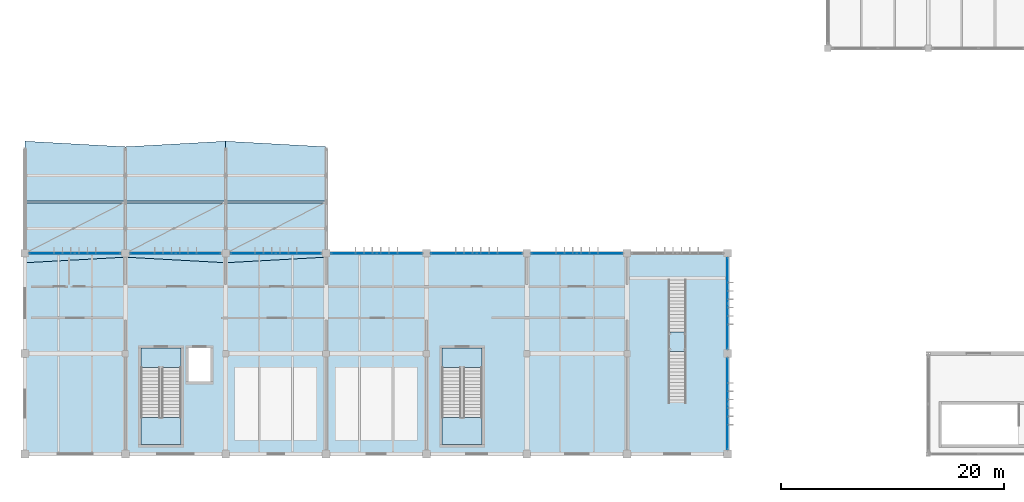
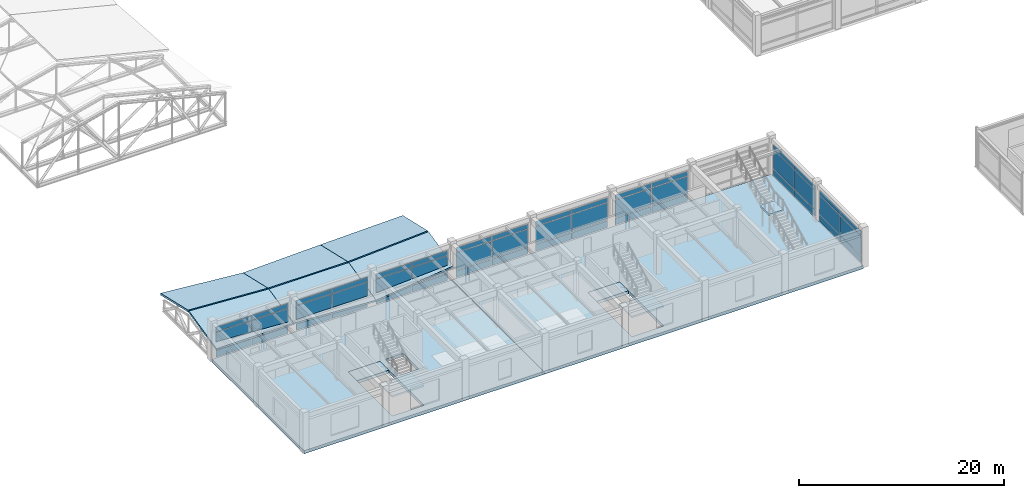
# One storey, part 34 of 61: 48 plates, 13 slabs, 11 elements without a shape of their own.
"""IFC4 building model written with IfcOpenShell, lengths in metres."""

from ifc_helpers import new_model, si_unit, direction, frame, origin, origin_2d, place, context, subcontext, project, spatial, polyline, rectangle, outline, extrude, material, layer, layer_set, type_object, element, aggregate, save


model = new_model("IFC4")

# Units and contexts
model_context = context("Model", 3, precision=1e-05, world=origin(), true_north=direction((0.0, 1.0)))
body_context = subcontext(model_context, "Body", "Model", "MODEL_VIEW")
ifc_project = project(units=[si_unit("LENGTHUNIT", "METRE"), si_unit("AREAUNIT", "SQUARE_METRE"), si_unit("VOLUMEUNIT", "CUBIC_METRE"), si_unit("PLANEANGLEUNIT", "RADIAN"), si_unit("MASSUNIT", "GRAM", prefix="KILO")], contexts=[model_context])

# Site, building, storey
site_placement = place(None, origin())
site = spatial("IfcSite", under=ifc_project, at=site_placement, CompositionType="ELEMENT")
building_placement = place(site_placement, origin())
building = spatial("IfcBuilding", under=site, at=building_placement, Name="Bozkorgan Art Gallery", CompositionType="ELEMENT")
storey_placement = place(building_placement, frame((0.0, 0.0, 10.199951171875)))
storey = spatial("IfcBuildingStorey", under=building, at=storey_placement, Name="L02", CompositionType="ELEMENT", Elevation=10.199951171875)

# Curtain wall, plates
ifc_material_1 = material(Name="Anodised Bronze Aluminium", Category="aluminium")
curtain_wall_type_1 = type_object("IfcCurtainWallType", Name="CW-CW-01", PredefinedType="NOTDEFINED", material=ifc_material_1)
curtain_wall_1_placement = place(storey_placement, origin())
curtain_wall_1 = element("IfcCurtainWall", 1, at=curtain_wall_1_placement, inside=storey, type_object=curtain_wall_type_1, Name="L02 unitised curtain wall CW-V1-L02-1N-02", PredefinedType="NOTDEFINED")
ifc_material_2 = material(Name="Triple Low-E Laminated Glass", Category="glass")
ifc_layer_1 = layer(ifc_material_2, 0.0439453125, Name="Triple Low-E Laminated Glass")
ifc_layer_set_1 = layer_set([ifc_layer_1], Name="Triple Low-E Laminated Glass")
plate_type = type_object("IfcPlateType", Name="CWP-GLZ", PredefinedType="CURTAIN_PANEL", material=ifc_layer_set_1)
plate_1_placement = place(storey_placement, frame((4.436279296875, 20.0, 0.094970703125), z_axis=(0.0, 0.0, 1.0), x_axis=(1.0, 0.0, 0.0)))
plate_1 = element("IfcPlate", 2, at=plate_1_placement, type_object=plate_type, Name="CW-01 panel 1.1", PredefinedType="CURTAIN_PANEL", context=body_context, shape_type="SweptSolid", body=[
    extrude(rectangle(XDim=4.012451171875, YDim=0.0439453125, at=origin_2d()), origin(), (0.0, 0.0, 1.0), 0.78759765625),
])
plate_2_placement = place(storey_placement, frame((4.436279296875, 20.0, 0.95751953125), z_axis=(0.0, 0.0, 1.0), x_axis=(1.0, 0.0, 0.0)))
plate_2 = element("IfcPlate", 3, at=plate_2_placement, type_object=plate_type, Name="CW-01 panel 1.2", PredefinedType="CURTAIN_PANEL", context=body_context, shape_type="SweptSolid", body=[
    extrude(rectangle(XDim=4.012451171875, YDim=0.0439453125, at=origin_2d()), origin(), (0.0, 0.0, 1.0), 2.070068359375),
])
plate_3_placement = place(storey_placement, frame((4.436279296875, 20.0, 3.1025390625), z_axis=(0.0, 0.0, 1.0), x_axis=(1.0, 0.0, 0.0)))
plate_3 = element("IfcPlate", 4, at=plate_3_placement, type_object=plate_type, Name="CW-01 panel 1.3", PredefinedType="CURTAIN_PANEL", context=body_context, shape_type="SweptSolid", body=[
    extrude(rectangle(XDim=4.012451171875, YDim=0.0439453125, at=origin_2d()), origin(), (0.0, 0.0, 1.0), 0.53759765625),
])
plate_4_placement = place(storey_placement, frame((8.513671875, 20.0, 0.094970703125), z_axis=(0.0, 0.0, 1.0), x_axis=(1.0, 0.0, 0.0)))
plate_4 = element("IfcPlate", 5, at=plate_4_placement, type_object=plate_type, Name="CW-01 panel 2.1", PredefinedType="CURTAIN_PANEL", context=body_context, shape_type="SweptSolid", body=[
    extrude(rectangle(XDim=4.012451171875, YDim=0.0439453125, at=origin_2d()), origin(), (0.0, 0.0, 1.0), 0.78759765625),
])
plate_5_placement = place(storey_placement, frame((8.513671875, 20.0, 0.95751953125), z_axis=(0.0, 0.0, 1.0), x_axis=(1.0, 0.0, 0.0)))
plate_5 = element("IfcPlate", 6, at=plate_5_placement, type_object=plate_type, Name="CW-01 panel 2.2", PredefinedType="CURTAIN_PANEL", context=body_context, shape_type="SweptSolid", body=[
    extrude(rectangle(XDim=4.012451171875, YDim=0.0439453125, at=origin_2d()), origin(), (0.0, 0.0, 1.0), 2.070068359375),
])
plate_6_placement = place(storey_placement, frame((8.513671875, 20.0, 3.1025390625), z_axis=(0.0, 0.0, 1.0), x_axis=(1.0, 0.0, 0.0)))
plate_6 = element("IfcPlate", 7, at=plate_6_placement, type_object=plate_type, Name="CW-01 panel 2.3", PredefinedType="CURTAIN_PANEL", context=body_context, shape_type="SweptSolid", body=[
    extrude(rectangle(XDim=4.012451171875, YDim=0.0439453125, at=origin_2d()), origin(), (0.0, 0.0, 1.0), 0.53759765625),
])
aggregate(curtain_wall_1, [plate_1, plate_2, plate_3, plate_4, plate_5, plate_6])

curtain_wall_type_2 = type_object("IfcCurtainWallType", Name="CW-CW-82", PredefinedType="NOTDEFINED", material=ifc_material_1)
curtain_wall_2_placement = place(storey_placement, origin())
curtain_wall_2 = element("IfcCurtainWall", 8, at=curtain_wall_2_placement, inside=storey, type_object=curtain_wall_type_2, Name="L02 unitised curtain wall CW-V1-L02-1N-04", PredefinedType="NOTDEFINED")
plate_7_placement = place(storey_placement, frame((13.4736328125, 20.0, 0.094970703125), z_axis=(0.0, 0.0, 1.0), x_axis=(1.0, 0.0, 0.0)))
plate_7 = element("IfcPlate", 9, at=plate_7_placement, type_object=plate_type, Name="CW-82 panel 1.1", PredefinedType="CURTAIN_PANEL", context=body_context, shape_type="SweptSolid", body=[
    extrude(rectangle(XDim=3.987548828125, YDim=0.0439453125, at=origin_2d()), origin(), (0.0, 0.0, 1.0), 0.78759765625),
])
plate_8_placement = place(storey_placement, frame((13.4736328125, 20.0, 0.95751953125), z_axis=(0.0, 0.0, 1.0), x_axis=(1.0, 0.0, 0.0)))
plate_8 = element("IfcPlate", 10, at=plate_8_placement, type_object=plate_type, Name="CW-82 panel 1.2", PredefinedType="CURTAIN_PANEL", context=body_context, shape_type="SweptSolid", body=[
    extrude(rectangle(XDim=3.987548828125, YDim=0.0439453125, at=origin_2d()), origin(), (0.0, 0.0, 1.0), 2.070068359375),
])
plate_9_placement = place(storey_placement, frame((13.4736328125, 20.0, 3.1025390625), z_axis=(0.0, 0.0, 1.0), x_axis=(1.0, 0.0, 0.0)))
plate_9 = element("IfcPlate", 11, at=plate_9_placement, type_object=plate_type, Name="CW-82 panel 1.3", PredefinedType="CURTAIN_PANEL", context=body_context, shape_type="SweptSolid", body=[
    extrude(rectangle(XDim=3.987548828125, YDim=0.0439453125, at=origin_2d()), origin(), (0.0, 0.0, 1.0), 0.53759765625),
])
plate_10_placement = place(storey_placement, frame((17.5263671875, 20.0, 0.094970703125), z_axis=(0.0, 0.0, 1.0), x_axis=(1.0, 0.0, 0.0)))
plate_10 = element("IfcPlate", 12, at=plate_10_placement, type_object=plate_type, Name="CW-82 panel 2.1", PredefinedType="CURTAIN_PANEL", context=body_context, shape_type="SweptSolid", body=[
    extrude(rectangle(XDim=3.987548828125, YDim=0.0439453125, at=origin_2d()), origin(), (0.0, 0.0, 1.0), 0.78759765625),
])
plate_11_placement = place(storey_placement, frame((17.5263671875, 20.0, 0.95751953125), z_axis=(0.0, 0.0, 1.0), x_axis=(1.0, 0.0, 0.0)))
plate_11 = element("IfcPlate", 13, at=plate_11_placement, type_object=plate_type, Name="CW-82 panel 2.2", PredefinedType="CURTAIN_PANEL", context=body_context, shape_type="SweptSolid", body=[
    extrude(rectangle(XDim=3.987548828125, YDim=0.0439453125, at=origin_2d()), origin(), (0.0, 0.0, 1.0), 2.070068359375),
])
plate_12_placement = place(storey_placement, frame((17.5263671875, 20.0, 3.1025390625), z_axis=(0.0, 0.0, 1.0), x_axis=(1.0, 0.0, 0.0)))
plate_12 = element("IfcPlate", 14, at=plate_12_placement, type_object=plate_type, Name="CW-82 panel 2.3", PredefinedType="CURTAIN_PANEL", context=body_context, shape_type="SweptSolid", body=[
    extrude(rectangle(XDim=3.987548828125, YDim=0.0439453125, at=origin_2d()), origin(), (0.0, 0.0, 1.0), 0.53759765625),
])
aggregate(curtain_wall_2, [plate_7, plate_8, plate_9, plate_10, plate_11, plate_12])

curtain_wall_3_placement = place(storey_placement, origin())
curtain_wall_3 = element("IfcCurtainWall", 15, at=curtain_wall_3_placement, inside=storey, type_object=curtain_wall_type_2, Name="L02 unitised curtain wall CW-V1-L02-1N-06", PredefinedType="NOTDEFINED")
plate_13_placement = place(storey_placement, frame((22.4736328125, 20.0, 0.094970703125), z_axis=(0.0, 0.0, 1.0), x_axis=(1.0, 0.0, 0.0)))
plate_13 = element("IfcPlate", 16, at=plate_13_placement, type_object=plate_type, Name="CW-82 panel 1.1", PredefinedType="CURTAIN_PANEL", context=body_context, shape_type="SweptSolid", body=[
    extrude(rectangle(XDim=3.987548828125, YDim=0.0439453125, at=origin_2d()), origin(), (0.0, 0.0, 1.0), 0.78759765625),
])
plate_14_placement = place(storey_placement, frame((22.4736328125, 20.0, 0.95751953125), z_axis=(0.0, 0.0, 1.0), x_axis=(1.0, 0.0, 0.0)))
plate_14 = element("IfcPlate", 17, at=plate_14_placement, type_object=plate_type, Name="CW-82 panel 1.2", PredefinedType="CURTAIN_PANEL", context=body_context, shape_type="SweptSolid", body=[
    extrude(rectangle(XDim=3.987548828125, YDim=0.0439453125, at=origin_2d()), origin(), (0.0, 0.0, 1.0), 2.070068359375),
])
plate_15_placement = place(storey_placement, frame((22.4736328125, 20.0, 3.1025390625), z_axis=(0.0, 0.0, 1.0), x_axis=(1.0, 0.0, 0.0)))
plate_15 = element("IfcPlate", 18, at=plate_15_placement, type_object=plate_type, Name="CW-82 panel 1.3", PredefinedType="CURTAIN_PANEL", context=body_context, shape_type="SweptSolid", body=[
    extrude(rectangle(XDim=3.987548828125, YDim=0.0439453125, at=origin_2d()), origin(), (0.0, 0.0, 1.0), 0.53759765625),
])
plate_16_placement = place(storey_placement, frame((26.5263671875, 20.0, 0.094970703125), z_axis=(0.0, 0.0, 1.0), x_axis=(1.0, 0.0, 0.0)))
plate_16 = element("IfcPlate", 19, at=plate_16_placement, type_object=plate_type, Name="CW-82 panel 2.1", PredefinedType="CURTAIN_PANEL", context=body_context, shape_type="SweptSolid", body=[
    extrude(rectangle(XDim=3.987548828125, YDim=0.0439453125, at=origin_2d()), origin(), (0.0, 0.0, 1.0), 0.78759765625),
])
plate_17_placement = place(storey_placement, frame((26.5263671875, 20.0, 0.95751953125), z_axis=(0.0, 0.0, 1.0), x_axis=(1.0, 0.0, 0.0)))
plate_17 = element("IfcPlate", 20, at=plate_17_placement, type_object=plate_type, Name="CW-82 panel 2.2", PredefinedType="CURTAIN_PANEL", context=body_context, shape_type="SweptSolid", body=[
    extrude(rectangle(XDim=3.987548828125, YDim=0.0439453125, at=origin_2d()), origin(), (0.0, 0.0, 1.0), 2.070068359375),
])
plate_18_placement = place(storey_placement, frame((26.5263671875, 20.0, 3.1025390625), z_axis=(0.0, 0.0, 1.0), x_axis=(1.0, 0.0, 0.0)))
plate_18 = element("IfcPlate", 21, at=plate_18_placement, type_object=plate_type, Name="CW-82 panel 2.3", PredefinedType="CURTAIN_PANEL", context=body_context, shape_type="SweptSolid", body=[
    extrude(rectangle(XDim=3.987548828125, YDim=0.0439453125, at=origin_2d()), origin(), (0.0, 0.0, 1.0), 0.53759765625),
])
aggregate(curtain_wall_3, [plate_13, plate_14, plate_15, plate_16, plate_17, plate_18])

curtain_wall_4_placement = place(storey_placement, origin())
curtain_wall_4 = element("IfcCurtainWall", 22, at=curtain_wall_4_placement, inside=storey, type_object=curtain_wall_type_1, Name="L02 unitised curtain wall CW-V1-L02-1N-08", PredefinedType="NOTDEFINED")
plate_19_placement = place(storey_placement, frame((31.486328125, 20.0, 0.094970703125), z_axis=(0.0, 0.0, 1.0), x_axis=(1.0, 0.0, 0.0)))
plate_19 = element("IfcPlate", 23, at=plate_19_placement, type_object=plate_type, Name="CW-01 panel 1.1", PredefinedType="CURTAIN_PANEL", context=body_context, shape_type="SweptSolid", body=[
    extrude(rectangle(XDim=4.012451171875, YDim=0.0439453125, at=origin_2d()), origin(), (0.0, 0.0, 1.0), 0.78759765625),
])
plate_20_placement = place(storey_placement, frame((31.486328125, 20.0, 0.95751953125), z_axis=(0.0, 0.0, 1.0), x_axis=(1.0, 0.0, 0.0)))
plate_20 = element("IfcPlate", 24, at=plate_20_placement, type_object=plate_type, Name="CW-01 panel 1.2", PredefinedType="CURTAIN_PANEL", context=body_context, shape_type="SweptSolid", body=[
    extrude(rectangle(XDim=4.012451171875, YDim=0.0439453125, at=origin_2d()), origin(), (0.0, 0.0, 1.0), 2.070068359375),
])
plate_21_placement = place(storey_placement, frame((31.486328125, 20.0, 3.1025390625), z_axis=(0.0, 0.0, 1.0), x_axis=(1.0, 0.0, 0.0)))
plate_21 = element("IfcPlate", 25, at=plate_21_placement, type_object=plate_type, Name="CW-01 panel 1.3", PredefinedType="CURTAIN_PANEL", context=body_context, shape_type="SweptSolid", body=[
    extrude(rectangle(XDim=4.012451171875, YDim=0.0439453125, at=origin_2d()), origin(), (0.0, 0.0, 1.0), 0.53759765625),
])
plate_22_placement = place(storey_placement, frame((35.563720703125, 20.0, 0.094970703125), z_axis=(0.0, 0.0, 1.0), x_axis=(1.0, 0.0, 0.0)))
plate_22 = element("IfcPlate", 26, at=plate_22_placement, type_object=plate_type, Name="CW-01 panel 2.1", PredefinedType="CURTAIN_PANEL", context=body_context, shape_type="SweptSolid", body=[
    extrude(rectangle(XDim=4.012451171875, YDim=0.0439453125, at=origin_2d()), origin(), (0.0, 0.0, 1.0), 0.78759765625),
])
plate_23_placement = place(storey_placement, frame((35.563720703125, 20.0, 0.95751953125), z_axis=(0.0, 0.0, 1.0), x_axis=(1.0, 0.0, 0.0)))
plate_23 = element("IfcPlate", 27, at=plate_23_placement, type_object=plate_type, Name="CW-01 panel 2.2", PredefinedType="CURTAIN_PANEL", context=body_context, shape_type="SweptSolid", body=[
    extrude(rectangle(XDim=4.012451171875, YDim=0.0439453125, at=origin_2d()), origin(), (0.0, 0.0, 1.0), 2.070068359375),
])
plate_24_placement = place(storey_placement, frame((35.563720703125, 20.0, 3.1025390625), z_axis=(0.0, 0.0, 1.0), x_axis=(1.0, 0.0, 0.0)))
plate_24 = element("IfcPlate", 28, at=plate_24_placement, type_object=plate_type, Name="CW-01 panel 2.3", PredefinedType="CURTAIN_PANEL", context=body_context, shape_type="SweptSolid", body=[
    extrude(rectangle(XDim=4.012451171875, YDim=0.0439453125, at=origin_2d()), origin(), (0.0, 0.0, 1.0), 0.53759765625),
])
aggregate(curtain_wall_4, [plate_19, plate_20, plate_21, plate_22, plate_23, plate_24])

curtain_wall_type_3 = type_object("IfcCurtainWallType", Name="CW-CW-61", PredefinedType="NOTDEFINED", material=ifc_material_1)
curtain_wall_5_placement = place(storey_placement, origin())
curtain_wall_5 = element("IfcCurtainWall", 29, at=curtain_wall_5_placement, inside=storey, type_object=curtain_wall_type_3, Name="L02 unitised curtain wall CW-V1-L02-1N-10", PredefinedType="NOTDEFINED")
plate_25_placement = place(storey_placement, frame((40.44873046875, 20.0, 0.094970703125), z_axis=(0.0, 0.0, 1.0), x_axis=(1.0, 0.0, 0.0)))
plate_25 = element("IfcPlate", 30, at=plate_25_placement, type_object=plate_type, Name="CW-61 panel 1.1", PredefinedType="CURTAIN_PANEL", context=body_context, shape_type="SweptSolid", body=[
    extrude(rectangle(XDim=4.03759765625, YDim=0.0439453125, at=origin_2d()), origin(), (0.0, 0.0, 1.0), 0.78759765625),
])
plate_26_placement = place(storey_placement, frame((40.44873046875, 20.0, 0.95751953125), z_axis=(0.0, 0.0, 1.0), x_axis=(1.0, 0.0, 0.0)))
plate_26 = element("IfcPlate", 31, at=plate_26_placement, type_object=plate_type, Name="CW-61 panel 1.2", PredefinedType="CURTAIN_PANEL", context=body_context, shape_type="SweptSolid", body=[
    extrude(rectangle(XDim=4.03759765625, YDim=0.0439453125, at=origin_2d()), origin(), (0.0, 0.0, 1.0), 2.070068359375),
])
plate_27_placement = place(storey_placement, frame((40.44873046875, 20.0, 3.1025390625), z_axis=(0.0, 0.0, 1.0), x_axis=(1.0, 0.0, 0.0)))
plate_27 = element("IfcPlate", 32, at=plate_27_placement, type_object=plate_type, Name="CW-61 panel 1.3", PredefinedType="CURTAIN_PANEL", context=body_context, shape_type="SweptSolid", body=[
    extrude(rectangle(XDim=4.03759765625, YDim=0.0439453125, at=origin_2d()), origin(), (0.0, 0.0, 1.0), 0.53759765625),
])
plate_28_placement = place(storey_placement, frame((44.55126953125, 20.0, 0.094970703125), z_axis=(0.0, 0.0, 1.0), x_axis=(1.0, 0.0, 0.0)))
plate_28 = element("IfcPlate", 33, at=plate_28_placement, type_object=plate_type, Name="CW-61 panel 2.1", PredefinedType="CURTAIN_PANEL", context=body_context, shape_type="SweptSolid", body=[
    extrude(rectangle(XDim=4.03759765625, YDim=0.0439453125, at=origin_2d()), origin(), (0.0, 0.0, 1.0), 0.78759765625),
])
plate_29_placement = place(storey_placement, frame((44.55126953125, 20.0, 0.95751953125), z_axis=(0.0, 0.0, 1.0), x_axis=(1.0, 0.0, 0.0)))
plate_29 = element("IfcPlate", 34, at=plate_29_placement, type_object=plate_type, Name="CW-61 panel 2.2", PredefinedType="CURTAIN_PANEL", context=body_context, shape_type="SweptSolid", body=[
    extrude(rectangle(XDim=4.03759765625, YDim=0.0439453125, at=origin_2d()), origin(), (0.0, 0.0, 1.0), 2.070068359375),
])
plate_30_placement = place(storey_placement, frame((44.55126953125, 20.0, 3.1025390625), z_axis=(0.0, 0.0, 1.0), x_axis=(1.0, 0.0, 0.0)))
plate_30 = element("IfcPlate", 35, at=plate_30_placement, type_object=plate_type, Name="CW-61 panel 2.3", PredefinedType="CURTAIN_PANEL", context=body_context, shape_type="SweptSolid", body=[
    extrude(rectangle(XDim=4.03759765625, YDim=0.0439453125, at=origin_2d()), origin(), (0.0, 0.0, 1.0), 0.53759765625),
])
aggregate(curtain_wall_5, [plate_25, plate_26, plate_27, plate_28, plate_29, plate_30])

curtain_wall_6_placement = place(storey_placement, origin())
curtain_wall_6 = element("IfcCurtainWall", 36, at=curtain_wall_6_placement, inside=storey, type_object=curtain_wall_type_3, Name="L02 unitised curtain wall CW-V1-L02-1N-12", PredefinedType="NOTDEFINED")
plate_31_placement = place(storey_placement, frame((49.44873046875, 20.0, 0.094970703125), z_axis=(0.0, 0.0, 1.0), x_axis=(1.0, 0.0, 0.0)))
plate_31 = element("IfcPlate", 37, at=plate_31_placement, type_object=plate_type, Name="CW-61 panel 1.1", PredefinedType="CURTAIN_PANEL", context=body_context, shape_type="SweptSolid", body=[
    extrude(rectangle(XDim=4.03759765625, YDim=0.0439453125, at=origin_2d()), origin(), (0.0, 0.0, 1.0), 0.78759765625),
])
plate_32_placement = place(storey_placement, frame((49.44873046875, 20.0, 0.95751953125), z_axis=(0.0, 0.0, 1.0), x_axis=(1.0, 0.0, 0.0)))
plate_32 = element("IfcPlate", 38, at=plate_32_placement, type_object=plate_type, Name="CW-61 panel 1.2", PredefinedType="CURTAIN_PANEL", context=body_context, shape_type="SweptSolid", body=[
    extrude(rectangle(XDim=4.03759765625, YDim=0.0439453125, at=origin_2d()), origin(), (0.0, 0.0, 1.0), 2.070068359375),
])
plate_33_placement = place(storey_placement, frame((49.44873046875, 20.0, 3.1025390625), z_axis=(0.0, 0.0, 1.0), x_axis=(1.0, 0.0, 0.0)))
plate_33 = element("IfcPlate", 39, at=plate_33_placement, type_object=plate_type, Name="CW-61 panel 1.3", PredefinedType="CURTAIN_PANEL", context=body_context, shape_type="SweptSolid", body=[
    extrude(rectangle(XDim=4.03759765625, YDim=0.0439453125, at=origin_2d()), origin(), (0.0, 0.0, 1.0), 0.53759765625),
])
plate_34_placement = place(storey_placement, frame((53.55126953125, 20.0, 0.094970703125), z_axis=(0.0, 0.0, 1.0), x_axis=(1.0, 0.0, 0.0)))
plate_34 = element("IfcPlate", 40, at=plate_34_placement, type_object=plate_type, Name="CW-61 panel 2.1", PredefinedType="CURTAIN_PANEL", context=body_context, shape_type="SweptSolid", body=[
    extrude(rectangle(XDim=4.03759765625, YDim=0.0439453125, at=origin_2d()), origin(), (0.0, 0.0, 1.0), 0.78759765625),
])
plate_35_placement = place(storey_placement, frame((53.55126953125, 20.0, 0.95751953125), z_axis=(0.0, 0.0, 1.0), x_axis=(1.0, 0.0, 0.0)))
plate_35 = element("IfcPlate", 41, at=plate_35_placement, type_object=plate_type, Name="CW-61 panel 2.2", PredefinedType="CURTAIN_PANEL", context=body_context, shape_type="SweptSolid", body=[
    extrude(rectangle(XDim=4.03759765625, YDim=0.0439453125, at=origin_2d()), origin(), (0.0, 0.0, 1.0), 2.070068359375),
])
plate_36_placement = place(storey_placement, frame((53.55126953125, 20.0, 3.1025390625), z_axis=(0.0, 0.0, 1.0), x_axis=(1.0, 0.0, 0.0)))
plate_36 = element("IfcPlate", 42, at=plate_36_placement, type_object=plate_type, Name="CW-61 panel 2.3", PredefinedType="CURTAIN_PANEL", context=body_context, shape_type="SweptSolid", body=[
    extrude(rectangle(XDim=4.03759765625, YDim=0.0439453125, at=origin_2d()), origin(), (0.0, 0.0, 1.0), 0.53759765625),
])
aggregate(curtain_wall_6, [plate_31, plate_32, plate_33, plate_34, plate_35, plate_36])

curtain_wall_type_4 = type_object("IfcCurtainWallType", Name="CW-CW-11", PredefinedType="NOTDEFINED", material=ifc_material_1)
curtain_wall_7_placement = place(storey_placement, origin())
curtain_wall_7 = element("IfcCurtainWall", 43, at=curtain_wall_7_placement, inside=storey, type_object=curtain_wall_type_4, Name="L02 unitised curtain wall CW-V1-L02-1E-16", PredefinedType="NOTDEFINED")
plate_37_placement = place(storey_placement, frame((65.0, 4.451171875, 0.094970703125), z_axis=(0.0, 0.0, 1.0), x_axis=(0.0, 1.0, 0.0)))
plate_37 = element("IfcPlate", 44, at=plate_37_placement, type_object=plate_type, Name="CW-11 panel 1.1", PredefinedType="CURTAIN_PANEL", context=body_context, shape_type="SweptSolid", body=[
    extrude(rectangle(XDim=4.0224609375, YDim=0.0439453125, at=origin_2d()), origin(), (0.0, 0.0, 1.0), 0.78759765625),
])
plate_38_placement = place(storey_placement, frame((65.0, 4.451171875, 0.95751953125), z_axis=(0.0, 0.0, 1.0), x_axis=(0.0, 1.0, 0.0)))
plate_38 = element("IfcPlate", 45, at=plate_38_placement, type_object=plate_type, Name="CW-11 panel 1.2", PredefinedType="CURTAIN_PANEL", context=body_context, shape_type="SweptSolid", body=[
    extrude(rectangle(XDim=4.0224609375, YDim=0.0439453125, at=origin_2d()), origin(), (0.0, 0.0, 1.0), 2.27001953125),
])
plate_39_placement = place(storey_placement, frame((65.0, 4.451171875, 3.302490234375), z_axis=(0.0, 0.0, 1.0), x_axis=(0.0, 1.0, 0.0)))
plate_39 = element("IfcPlate", 46, at=plate_39_placement, type_object=plate_type, Name="CW-11 panel 1.3", PredefinedType="CURTAIN_PANEL", context=body_context, shape_type="SweptSolid", body=[
    extrude(rectangle(XDim=4.0224609375, YDim=0.0439453125, at=origin_2d()), origin(), (0.0, 0.0, 1.0), 0.53759765625),
])
plate_40_placement = place(storey_placement, frame((65.0, 8.548828125, 0.094970703125), z_axis=(0.0, 0.0, 1.0), x_axis=(0.0, 1.0, 0.0)))
plate_40 = element("IfcPlate", 47, at=plate_40_placement, type_object=plate_type, Name="CW-11 panel 2.1", PredefinedType="CURTAIN_PANEL", context=body_context, shape_type="SweptSolid", body=[
    extrude(rectangle(XDim=4.0224609375, YDim=0.0439453125, at=origin_2d()), origin(), (0.0, 0.0, 1.0), 0.78759765625),
])
plate_41_placement = place(storey_placement, frame((65.0, 8.548828125, 0.95751953125), z_axis=(0.0, 0.0, 1.0), x_axis=(0.0, 1.0, 0.0)))
plate_41 = element("IfcPlate", 48, at=plate_41_placement, type_object=plate_type, Name="CW-11 panel 2.2", PredefinedType="CURTAIN_PANEL", context=body_context, shape_type="SweptSolid", body=[
    extrude(rectangle(XDim=4.0224609375, YDim=0.0439453125, at=origin_2d()), origin(), (0.0, 0.0, 1.0), 2.27001953125),
])
plate_42_placement = place(storey_placement, frame((65.0, 8.548828125, 3.302490234375), z_axis=(0.0, 0.0, 1.0), x_axis=(0.0, 1.0, 0.0)))
plate_42 = element("IfcPlate", 49, at=plate_42_placement, type_object=plate_type, Name="CW-11 panel 2.3", PredefinedType="CURTAIN_PANEL", context=body_context, shape_type="SweptSolid", body=[
    extrude(rectangle(XDim=4.0224609375, YDim=0.0439453125, at=origin_2d()), origin(), (0.0, 0.0, 1.0), 0.53759765625),
])
aggregate(curtain_wall_7, [plate_37, plate_38, plate_39, plate_40, plate_41, plate_42])

curtain_wall_8_placement = place(storey_placement, origin())
curtain_wall_8 = element("IfcCurtainWall", 50, at=curtain_wall_8_placement, inside=storey, type_object=curtain_wall_type_4, Name="L02 unitised curtain wall CW-V1-L02-1E-18", PredefinedType="NOTDEFINED")
plate_43_placement = place(storey_placement, frame((65.0, 13.451171875, 0.094970703125), z_axis=(0.0, 0.0, 1.0), x_axis=(0.0, 1.0, 0.0)))
plate_43 = element("IfcPlate", 51, at=plate_43_placement, type_object=plate_type, Name="CW-11 panel 1.1", PredefinedType="CURTAIN_PANEL", context=body_context, shape_type="SweptSolid", body=[
    extrude(rectangle(XDim=4.0224609375, YDim=0.0439453125, at=origin_2d()), origin(), (0.0, 0.0, 1.0), 0.78759765625),
])
plate_44_placement = place(storey_placement, frame((65.0, 13.451171875, 0.95751953125), z_axis=(0.0, 0.0, 1.0), x_axis=(0.0, 1.0, 0.0)))
plate_44 = element("IfcPlate", 52, at=plate_44_placement, type_object=plate_type, Name="CW-11 panel 1.2", PredefinedType="CURTAIN_PANEL", context=body_context, shape_type="SweptSolid", body=[
    extrude(rectangle(XDim=4.0224609375, YDim=0.0439453125, at=origin_2d()), origin(), (0.0, 0.0, 1.0), 2.27001953125),
])
plate_45_placement = place(storey_placement, frame((65.0, 13.451171875, 3.302490234375), z_axis=(0.0, 0.0, 1.0), x_axis=(0.0, 1.0, 0.0)))
plate_45 = element("IfcPlate", 53, at=plate_45_placement, type_object=plate_type, Name="CW-11 panel 1.3", PredefinedType="CURTAIN_PANEL", context=body_context, shape_type="SweptSolid", body=[
    extrude(rectangle(XDim=4.0224609375, YDim=0.0439453125, at=origin_2d()), origin(), (0.0, 0.0, 1.0), 0.53759765625),
])
plate_46_placement = place(storey_placement, frame((65.0, 17.548828125, 0.094970703125), z_axis=(0.0, 0.0, 1.0), x_axis=(0.0, 1.0, 0.0)))
plate_46 = element("IfcPlate", 54, at=plate_46_placement, type_object=plate_type, Name="CW-11 panel 2.1", PredefinedType="CURTAIN_PANEL", context=body_context, shape_type="SweptSolid", body=[
    extrude(rectangle(XDim=4.0224609375, YDim=0.0439453125, at=origin_2d()), origin(), (0.0, 0.0, 1.0), 0.78759765625),
])
plate_47_placement = place(storey_placement, frame((65.0, 17.548828125, 0.95751953125), z_axis=(0.0, 0.0, 1.0), x_axis=(0.0, 1.0, 0.0)))
plate_47 = element("IfcPlate", 55, at=plate_47_placement, type_object=plate_type, Name="CW-11 panel 2.2", PredefinedType="CURTAIN_PANEL", context=body_context, shape_type="SweptSolid", body=[
    extrude(rectangle(XDim=4.0224609375, YDim=0.0439453125, at=origin_2d()), origin(), (0.0, 0.0, 1.0), 2.27001953125),
])
plate_48_placement = place(storey_placement, frame((65.0, 17.548828125, 3.302490234375), z_axis=(0.0, 0.0, 1.0), x_axis=(0.0, 1.0, 0.0)))
plate_48 = element("IfcPlate", 56, at=plate_48_placement, type_object=plate_type, Name="CW-11 panel 2.3", PredefinedType="CURTAIN_PANEL", context=body_context, shape_type="SweptSolid", body=[
    extrude(rectangle(XDim=4.0224609375, YDim=0.0439453125, at=origin_2d()), origin(), (0.0, 0.0, 1.0), 0.53759765625),
])
aggregate(curtain_wall_8, [plate_43, plate_44, plate_45, plate_46, plate_47, plate_48])

# Stair, slab
ifc_material_3 = material(Name="Concrete C35/45", Category="concrete")
stair_type_1 = type_object("IfcStairType", Name="STAIR-CORE1", PredefinedType="HALF_TURN_STAIR", material=ifc_material_3)
stair_1_placement = place(storey_placement, origin())
stair_1 = element("IfcStair", 57, at=stair_1_placement, inside=storey, type_object=stair_type_1, Name="L02 ST1 Core Stair", PredefinedType="HALF_TURN_STAIR")
ifc_layer_2 = layer(ifc_material_3, 0.25, Name="Concrete C35/45")
ifc_layer_set_2 = layer_set([ifc_layer_2], Name="Concrete C35/45")
slab_type_1 = type_object("IfcSlabType", Name="LAND-CORE1", PredefinedType="LANDING", material=ifc_layer_set_2)
slab_1_placement = place(storey_placement, frame((0.0, 0.0, 2.199951171875)))
slab_1 = element("IfcSlab", 58, at=slab_1_placement, type_object=slab_type_1, Name="ST1 landing 1", PredefinedType="LANDING", context=body_context, shape_type="SweptSolid", body=[
    extrude(outline(polyline([(12.39990234375, 5.25), (12.39990234375, 2.85009765625), (16.0, 2.85009765625), (16.0, 5.25), (12.39990234375, 5.25)])), origin(), (0.0, 0.0, 1.0), 0.2001953125),
])
aggregate(stair_1, [slab_1])

# Slab
slab_2_placement = place(storey_placement, frame((0.0, 0.0, -0.35986328125)))
element("IfcSlab", 59, at=slab_2_placement, inside=storey, type_object=slab_type_1, Name="ST1 L02 floor landing", PredefinedType="LANDING", context=body_context, shape_type="SweptSolid", body=[
    extrude(outline(polyline([(12.39990234375, 9.75), (16.0, 9.75), (16.0, 11.5), (12.39990234375, 11.5), (12.39990234375, 9.75)])), origin(), (0.0, 0.0, 1.0), 0.35986328125),
])

# Stair, slab
stair_type_2 = type_object("IfcStairType", Name="STAIR-CORE7", PredefinedType="HALF_TURN_STAIR", material=ifc_material_3)
stair_2_placement = place(storey_placement, origin())
stair_2 = element("IfcStair", 60, at=stair_2_placement, inside=storey, type_object=stair_type_2, Name="L02 ST12 Core Stair", PredefinedType="HALF_TURN_STAIR")
ifc_layer_3 = layer(ifc_material_3, 0.25, Name="Concrete C35/45")
ifc_layer_set_3 = layer_set([ifc_layer_3], Name="Concrete C35/45")
slab_type_2 = type_object("IfcSlabType", Name="LAND-CORE7", PredefinedType="LANDING", material=ifc_layer_set_3)
slab_3_placement = place(storey_placement, frame((0.0, 0.0, 2.199951171875)))
slab_3 = element("IfcSlab", 61, at=slab_3_placement, type_object=slab_type_2, Name="ST12 landing 1", PredefinedType="LANDING", context=body_context, shape_type="SweptSolid", body=[
    extrude(outline(polyline([(39.39990234375, 5.25), (39.39990234375, 2.85009765625), (43.0, 2.85009765625), (43.0, 5.25), (39.39990234375, 5.25)])), origin(), (0.0, 0.0, 1.0), 0.2001953125),
])
aggregate(stair_2, [slab_3])

# Slab
slab_4_placement = place(storey_placement, frame((0.0, 0.0, -0.35986328125)))
element("IfcSlab", 62, at=slab_4_placement, inside=storey, type_object=slab_type_2, Name="ST12 L02 floor landing", PredefinedType="LANDING", context=body_context, shape_type="SweptSolid", body=[
    extrude(outline(polyline([(39.39990234375, 9.75), (43.0, 9.75), (43.0, 11.5), (39.39990234375, 11.5), (39.39990234375, 9.75)])), origin(), (0.0, 0.0, 1.0), 0.35986328125),
])

# Stair, slab
ifc_material_4 = material(Name="Steel S355J2", Category="steel")
stair_type_3 = type_object("IfcStairType", Name="FSTAIR-ST8", PredefinedType="STRAIGHT_RUN_STAIR", material=ifc_material_4)
stair_3_placement = place(storey_placement, origin())
stair_3 = element("IfcStair", 63, at=stair_3_placement, inside=storey, type_object=stair_type_3, Name="ST8 Feature Stair (L02 to L03)", PredefinedType="STRAIGHT_RUN_STAIR")
ifc_layer_4 = layer(ifc_material_3, 0.239990234375, Name="Concrete C35/45")
ifc_layer_set_4 = layer_set([ifc_layer_4], Name="Concrete C35/45")
slab_type_3 = type_object("IfcSlabType", Name="LAND-FEAT", PredefinedType="LANDING", material=ifc_layer_set_4)
slab_5_placement = place(storey_placement, frame((0.0, 0.0, 2.16015625)))
slab_5 = element("IfcSlab", 64, at=slab_5_placement, type_object=slab_type_3, Name="ST8 intermediate landing", PredefinedType="LANDING", context=body_context, shape_type="SweptSolid", body=[
    extrude(outline(polyline([(59.699951171875, 11.199951171875), (61.300048828125, 11.199951171875), (61.300048828125, 12.949951171875), (59.699951171875, 12.949951171875), (59.699951171875, 11.199951171875)])), origin(), (0.0, 0.0, 1.0), 0.239990234375),
])
aggregate(stair_3, [slab_5])

# Slabs
ifc_layer_5 = layer(ifc_material_3, 0.219970703125, Name="Concrete C35/45")
ifc_layer_set_5 = layer_set([ifc_layer_5], Name="Concrete C35/45")
slab_type_4 = type_object("IfcSlabType", Name="SLAB-RF-44", PredefinedType="ROOF", material=ifc_layer_set_5)
slab_6_placement = place(storey_placement, frame((2.0, 19.14990234375, 1.761962890625), z_axis=(0.056996599576, -0.22457357857, 0.972788823664), x_axis=(0.997419538372, 0.055412820237, -0.045647385762)))
element("IfcSlab", 65, at=slab_6_placement, inside=storey, type_object=slab_type_4, Name="ROOF-V1-STEP2 swept-eave pitched roof slab 1S", PredefinedType="ROOF", context=body_context, shape_type="SweptSolid", body=[
    extrude(outline(polyline([(0.0, 0.0), (9.023282826703163, 5.551115123125783e-17), (9.241829879108527, 4.993421291307224), (0.24098217017387435, 5.506092677888649), (0.0, 0.0)])), origin(), (0.0, 0.0, -1.0), 0.219970703125),
])
slab_7_placement = place(storey_placement, frame((2.0, 24.679931640625, 3.001708984375), z_axis=(0.056996599576, 0.22457357857, 0.972788823664), x_axis=(0.99828794999, 6.15525e-07, -0.058490759139)))
element("IfcSlab", 66, at=slab_7_placement, inside=storey, type_object=slab_type_4, Name="ROOF-V1-STEP2 swept-eave pitched roof slab 1N", PredefinedType="ROOF", context=body_context, shape_type="SweptSolid", body=[
    extrude(outline(polyline([(0.0, 0.0), (9.01543628617348, 0.0), (9.081198547970141, 4.997768935386946), (0.07251699560209282, 5.510886522982447), (0.0, 0.0)])), origin(), (0.0, 0.0, -1.0), 0.219970703125),
])
slab_8_placement = place(storey_placement, frame((11.0, 19.64990234375, 1.35009765625), z_axis=(2.750031e-06, -0.224939245996, 0.974372790878), x_axis=(0.998378426342, -0.055466085716, -0.012807464646)))
element("IfcSlab", 67, at=slab_8_placement, inside=storey, type_object=slab_type_4, Name="ROOF-V1-STEP2 swept-eave pitched roof slab 2S", PredefinedType="ROOF", context=body_context, shape_type="SweptSolid", body=[
    extrude(outline(polyline([(0.0, 0.0), (9.01461786694025, 2.0816681711721685e-17), (8.70088048244527, 5.502426540846226), (-0.28452535463051654, 4.9900966252334), (0.0, 0.0)])), origin(), (0.0, 0.0, -1.0), 0.219970703125),
])
slab_9_placement = place(storey_placement, frame((11.0, 24.679931640625, 2.474365234375), z_axis=(2.750031e-06, 0.224939245996, 0.974372790878), x_axis=(0.999999999996, -6.1859e-07, -2.679555e-06)))
element("IfcSlab", 68, at=slab_9_placement, inside=storey, type_object=slab_type_4, Name="ROOF-V1-STEP2 swept-eave pitched roof slab 2N", PredefinedType="ROOF", context=body_context, shape_type="SweptSolid", body=[
    extrude(outline(polyline([(0.0, 0.0), (8.999999999965969, 9.529120656610879e-22), (9.000000000034033, 5.511363622901207), (-6.80640339478016e-11, 4.998201577226892), (0.0, 0.0)])), origin(), (0.0, 0.0, -1.0), 0.219970703125),
])
slab_10_placement = place(storey_placement, frame((20.0, 19.14990234375, 1.234619140625), z_axis=(-0.057002072856, -0.224573508281, 0.97278851919), x_axis=(0.995931172742, 0.055330115009, 0.071131410316)))
element("IfcSlab", 69, at=slab_10_placement, inside=storey, type_object=slab_type_4, Name="ROOF-V1-STEP2 swept-eave pitched roof slab 3S", PredefinedType="ROOF", context=body_context, shape_type="SweptSolid", body=[
    extrude(outline(polyline([(0.0, 0.0), (9.036770466520254, 8.326672684688674e-17), (9.386205349014904, 4.985971747763051), (0.38531408967658864, 5.497877957552115), (0.0, 0.0)])), origin(), (0.0, 0.0, -1.0), 0.219970703125),
])
slab_11_placement = place(storey_placement, frame((20.0, 24.679931640625, 2.474365234375), z_axis=(-0.057002072856, 0.224573508281, 0.97278851919), x_axis=(0.998287637536, 6.15524e-07, 0.058496091692)))
element("IfcSlab", 70, at=slab_11_placement, inside=storey, type_object=slab_type_4, Name="ROOF-V1-STEP2 swept-eave pitched roof slab 3N", PredefinedType="ROOF", context=body_context, shape_type="SweptSolid", body=[
    extrude(outline(polyline([(0.0, 0.0), (9.01543628617348, -1.3877787807814457e-17), (8.949674024512275, 4.997768935388729), (-0.0725169957375463, 5.510886522980664), (0.0, 0.0)])), origin(), (0.0, 0.0, -1.0), 0.219970703125),
])
ifc_layer_6 = layer(ifc_material_3, 0.360107421875, Name="Concrete C35/45")
ifc_layer_set_6 = layer_set([ifc_layer_6], Name="Concrete C35/45")
slab_type_5 = type_object("IfcSlabType", Name="SLAB-SL-87", PredefinedType="FLOOR", material=ifc_layer_set_6)
slab_12_placement = place(storey_placement, frame((0.0, 0.0, -0.35986328125)))
element("IfcSlab", 71, at=slab_12_placement, inside=storey, type_object=slab_type_5, Name="V1 L02 floor slab 1.1", PredefinedType="FLOOR", context=body_context, shape_type="SweptSolid", body=[
    extrude(outline(polyline([(2.0, 2.0), (29.0, 2.0), (29.0, 20.0), (2.0, 20.0), (2.0, 2.0)]), holes=[polyline([(12.39990234375, 2.85009765625), (16.0, 2.85009765625), (16.0, 11.5), (12.39990234375, 11.5), (12.39990234375, 2.85009765625)]), polyline([(16.64990234375, 8.5), (18.64990234375, 8.5), (18.64990234375, 11.5), (16.64990234375, 11.5), (16.64990234375, 8.5)])]), origin(), (0.0, 0.0, 1.0), 0.35986328125),
])
slab_13_placement = place(storey_placement, frame((0.0, 0.0, -0.35986328125)))
element("IfcSlab", 72, at=slab_13_placement, inside=storey, type_object=slab_type_5, Name="V1 L02 floor slab 1.2", PredefinedType="FLOOR", context=body_context, shape_type="SweptSolid", body=[
    extrude(outline(polyline([(29.0, 2.0), (65.0, 2.0), (65.0, 20.0), (29.0, 20.0), (29.0, 2.0)]), holes=[polyline([(39.39990234375, 2.85009765625), (43.0, 2.85009765625), (43.0, 11.5), (39.39990234375, 11.5), (39.39990234375, 2.85009765625)])]), origin(), (0.0, 0.0, 1.0), 0.35986328125),
])

save(model, "model.ifc")
